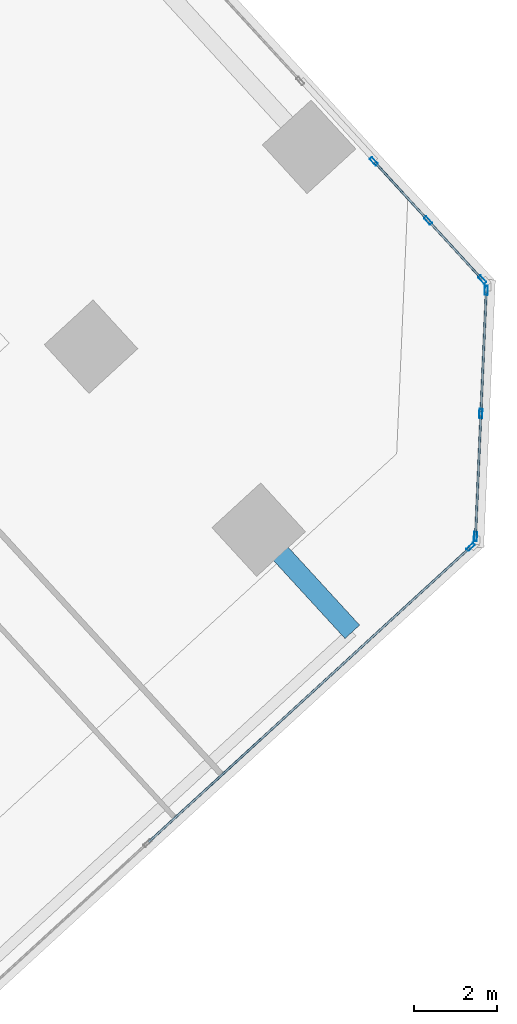
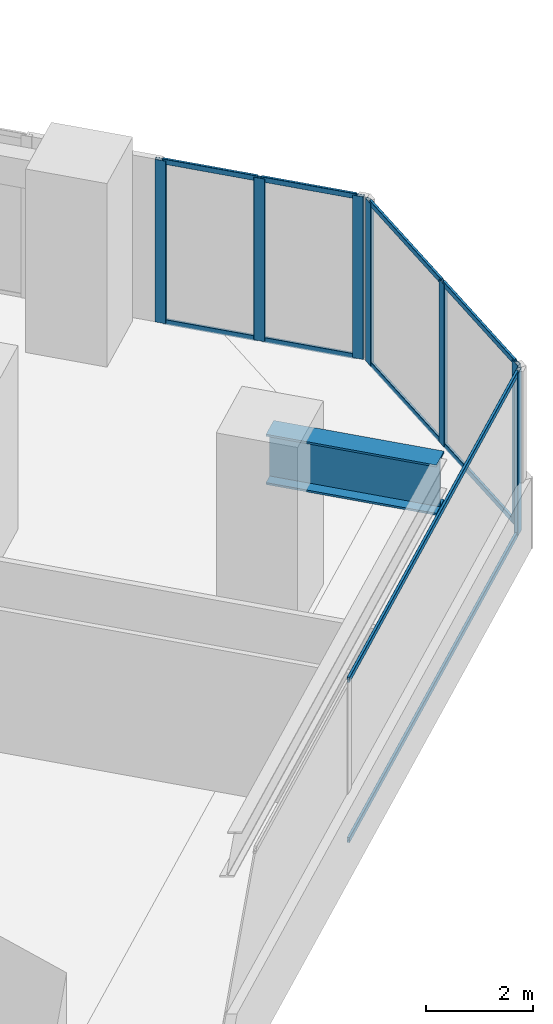
# One storey, part 6 of 17: 17 members, 1 beam, 3 elements without a shape of their own.
"""IFC4 building model written with IfcOpenShell, lengths in metres."""

from ifc_helpers import new_model, si_unit, direction, frame, origin, origin_2d, place, context, subcontext, project, spatial, hollow_rectangle, i_section, extrude, source, transform, mapped, material, material_profile, profile_set, type_object, element, aggregate, save


model = new_model("IFC4")

# Units and contexts
model_context = context("Model", 3, precision=1e-05, world=origin(), true_north=direction((0.0, 1.0)))
body_context = subcontext(model_context, "Body", "Model", "MODEL_VIEW")
ifc_project = project(units=[si_unit("LENGTHUNIT", "METRE"), si_unit("AREAUNIT", "SQUARE_METRE"), si_unit("VOLUMEUNIT", "CUBIC_METRE"), si_unit("PLANEANGLEUNIT", "RADIAN"), si_unit("MASSUNIT", "GRAM", prefix="KILO")], contexts=[model_context])

# Site, building, storey
site_placement = place(None, origin())
site = spatial("IfcSite", under=ifc_project, at=site_placement, CompositionType="ELEMENT")
building_placement = place(site_placement, origin())
building = spatial("IfcBuilding", under=site, at=building_placement, Name="Torre Montelarca", CompositionType="ELEMENT")
storey_placement = place(building_placement, frame((0.0, 0.0, 254.199951171875)))
storey = spatial("IfcBuildingStorey", under=building, at=storey_placement, Name="L57", CompositionType="ELEMENT", Elevation=254.199951171875)

# Beam
ifc_material_1 = material(Name="Steel ASTM A572 Grade 50", Category="steel")
ifc_material_profile_1 = material_profile(ifc_material_1, i_section(OverallWidth=0.47998046875, OverallDepth=1.14990234375, WebThickness=0.02197265625, FlangeThickness=0.044921875, at=origin_2d()), Name="PG1150X480X22X45", Category="steel")
ifc_profile_set_1 = profile_set([ifc_material_profile_1], Name="Steel ASTM A572 Grade 50")
beam_type = type_object("IfcBeamType", Name="BM-CG-PG1400-EXT", PredefinedType="USERDEFINED", material=ifc_profile_set_1)
shared_shape_1 = source(origin(), body_context, "Body", "SweptSolid", [
    extrude(i_section(OverallWidth=0.47998046875, OverallDepth=1.14990234375, WebThickness=0.02197265625, FlangeThickness=0.044921875, at=origin_2d()), origin(), (0.0, 0.0, 1.0), 3.349853515625),
])
beam_placement = place(storey_placement, frame((41.247802734375, 22.29052734375, 3.385009765625), z_axis=(0.675605810146, -0.737263039421, 0.0), x_axis=(0.737263039421, 0.675605810146, 0.0)))
element("IfcBeam", 1, at=beam_placement, inside=storey, type_object=beam_type, Name="L57 Sliding Tray Cantilever Girder East Y=40m (FLR)", ObjectType="CANTILEVER GIRDER", PredefinedType="USERDEFINED", context=body_context, shape_type="MappedRepresentation", body=[
    mapped(shared_shape_1, transform((0.0, 0.0, 0.0), scale=1.0)),
])

# Curtain wall, members
ifc_material_2 = material(Name="Insulated low-E laminated glass", Category="glass")
curtain_wall_type = type_object("IfcCurtainWallType", Name="CW-SYS-Z3", PredefinedType="USERDEFINED", material=ifc_material_2)
curtain_wall_1_placement = place(storey_placement, origin())
curtain_wall_1 = element("IfcCurtainWall", 2, at=curtain_wall_1_placement, inside=storey, type_object=curtain_wall_type, Name="L57 Curtain Wall Run CW-T3-L57-E07-B1", ObjectType="UNITISED GLAZING", PredefinedType="USERDEFINED")
ifc_material_3 = material(Name="Anodised aluminium AA 6063-T6", Category="aluminium")
ifc_material_profile_2 = material_profile(ifc_material_3, hollow_rectangle(XDim=0.054931640625, YDim=0.1201171875, WallThickness=0.00341796875, InnerFilletRadius=0.00341796875, OuterFilletRadius=0.007080078125, at=origin_2d()), Name="ALU55X120X3.5", Category="aluminium")
ifc_profile_set_2 = profile_set([ifc_material_profile_2], Name="Anodised aluminium AA 6063-T6")
member_type_1 = type_object("IfcMemberType", Name="CWT-ALU120", PredefinedType="USERDEFINED", material=ifc_profile_set_2)
shared_shape_2 = source(origin(), body_context, "Body", "SweptSolid", [
    extrude(hollow_rectangle(XDim=0.054931640625, YDim=0.1201171875, WallThickness=0.00341796875, InnerFilletRadius=0.00341796875, OuterFilletRadius=0.007080078125, at=origin_2d()), origin(), (0.0, 0.0, 1.0), 2.903564453125),
])
member_1_placement = place(storey_placement, frame((46.4912109375, 22.1611328125, 0.027587890625), z_axis=(0.043637906688, 0.999047412839, 0.0), x_axis=(-0.999047412839, 0.043637906688, 0.0)))
member_1 = element("IfcMember", 3, at=member_1_placement, type_object=member_type_1, Name="CW transom 1.1", ObjectType="TRANSOM", PredefinedType="USERDEFINED", context=body_context, shape_type="MappedRepresentation", body=[
    mapped(shared_shape_2, transform((0.0, 0.0, 0.0), scale=1.0)),
])
member_2_placement = place(storey_placement, frame((46.4912109375, 22.1611328125, 3.692626953125), z_axis=(0.043637906688, 0.999047412839, 0.0), x_axis=(-0.999047412839, 0.043637906688, 0.0)))
member_2 = element("IfcMember", 4, at=member_2_placement, type_object=member_type_1, Name="CW transom 1.2", ObjectType="TRANSOM", PredefinedType="USERDEFINED", context=body_context, shape_type="MappedRepresentation", body=[
    mapped(shared_shape_2, transform((0.0, 0.0, 0.0), scale=1.0)),
])
member_3_placement = place(storey_placement, frame((46.62109375, 25.136962890625, 0.027587890625), z_axis=(0.043637906688, 0.999047412839, 0.0), x_axis=(-0.999047412839, 0.043637906688, 0.0)))
member_3 = element("IfcMember", 5, at=member_3_placement, type_object=member_type_1, Name="CW transom 2.1", ObjectType="TRANSOM", PredefinedType="USERDEFINED", context=body_context, shape_type="MappedRepresentation", body=[
    mapped(shared_shape_2, transform((0.0, 0.0, 0.0), scale=1.0)),
])
member_4_placement = place(storey_placement, frame((46.62109375, 25.136962890625, 3.692626953125), z_axis=(0.043637906688, 0.999047412839, 0.0), x_axis=(-0.999047412839, 0.043637906688, 0.0)))
member_4 = element("IfcMember", 6, at=member_4_placement, type_object=member_type_1, Name="CW transom 2.2", ObjectType="TRANSOM", PredefinedType="USERDEFINED", context=body_context, shape_type="MappedRepresentation", body=[
    mapped(shared_shape_2, transform((0.0, 0.0, 0.0), scale=1.0)),
])

# Curtain wall, member
curtain_wall_2_placement = place(storey_placement, origin())
curtain_wall_2 = element("IfcCurtainWall", 7, at=curtain_wall_2_placement, inside=storey, type_object=curtain_wall_type, Name="L57 Curtain Wall Run CW-T3-L57-E06-B1", ObjectType="UNITISED GLAZING", PredefinedType="USERDEFINED")
ifc_material_profile_3 = material_profile(ifc_material_3, hollow_rectangle(XDim=0.074951171875, YDim=0.219970703125, WallThickness=0.0048828125, InnerFilletRadius=0.0048828125, OuterFilletRadius=0.010009765625, at=origin_2d()), Name="ALU75X220X5", Category="aluminium")
ifc_profile_set_3 = profile_set([ifc_material_profile_3], Name="Anodised aluminium AA 6063-T6")
member_type_2 = type_object("IfcMemberType", Name="CWM-ALU220", PredefinedType="MULLION", material=ifc_profile_set_3)
shared_shape_3 = source(origin(), body_context, "Body", "SweptSolid", [
    extrude(hollow_rectangle(XDim=0.074951171875, YDim=0.219970703125, WallThickness=0.0048828125, InnerFilletRadius=0.0048828125, OuterFilletRadius=0.010009765625, at=origin_2d()), origin(), (0.0, 0.0, 1.0), 3.719970703125),
])
member_5_placement = place(storey_placement, frame((46.372802734375, 21.873291015625, 0.0), z_axis=(0.0, 0.0, 1.0), x_axis=(-0.675587287841, 0.73728001228, 0.0)))
member_5 = element("IfcMember", 8, at=member_5_placement, type_object=member_type_2, Name="CW mullion 3", PredefinedType="MULLION", context=body_context, shape_type="MappedRepresentation", body=[
    mapped(shared_shape_3, transform((0.0, 0.0, 0.0), scale=1.0)),
])

# Member
member_6_placement = place(storey_placement, frame((46.489501953125, 22.123779296875, 0.0), z_axis=(0.0, 0.0, 1.0), x_axis=(-0.999048385364, 0.043615635968, 0.0)))
member_6 = element("IfcMember", 9, at=member_6_placement, type_object=member_type_2, Name="CW mullion 1", PredefinedType="MULLION", context=body_context, shape_type="MappedRepresentation", body=[
    mapped(shared_shape_3, transform((0.0, 0.0, 0.0), scale=1.0)),
])

member_7_placement = place(storey_placement, frame((46.619384765625, 25.099365234375, 0.0), z_axis=(0.0, 0.0, 1.0), x_axis=(-0.999048385364, 0.043615635968, 0.0)))
member_7 = element("IfcMember", 10, at=member_7_placement, type_object=member_type_2, Name="CW mullion 2", PredefinedType="MULLION", context=body_context, shape_type="MappedRepresentation", body=[
    mapped(shared_shape_3, transform((0.0, 0.0, 0.0), scale=1.0)),
])

member_8_placement = place(storey_placement, frame((46.749267578125, 28.0751953125, 0.0), z_axis=(0.0, 0.0, 1.0), x_axis=(-0.999048385364, 0.043615635968, 0.0)))
member_8 = element("IfcMember", 11, at=member_8_placement, type_object=member_type_2, Name="CW mullion 3", PredefinedType="MULLION", context=body_context, shape_type="MappedRepresentation", body=[
    mapped(shared_shape_3, transform((0.0, 0.0, 0.0), scale=1.0)),
])

aggregate(curtain_wall_1, [member_6, member_7, member_8, member_1, member_2, member_3, member_4])

# Curtain wall, members
curtain_wall_3_placement = place(storey_placement, origin())
curtain_wall_3 = element("IfcCurtainWall", 12, at=curtain_wall_3_placement, inside=storey, type_object=curtain_wall_type, Name="L57 Curtain Wall Run CW-T3-L57-E08-B1", ObjectType="UNITISED GLAZING", PredefinedType="USERDEFINED")
member_9_placement = place(storey_placement, frame((46.65478515625, 28.334716796875, 0.0), z_axis=(0.0, 0.0, 1.0), x_axis=(-0.73728639427, -0.675580323, 0.0)))
member_9 = element("IfcMember", 13, at=member_9_placement, type_object=member_type_2, Name="CW mullion 1", PredefinedType="MULLION", context=body_context, shape_type="MappedRepresentation", body=[
    mapped(shared_shape_3, transform((0.0, 0.0, 0.0), scale=1.0)),
])
member_10_placement = place(storey_placement, frame((45.344482421875, 29.764892578125, 0.0), z_axis=(0.0, 0.0, 1.0), x_axis=(-0.73728639427, -0.675580323, 0.0)))
member_10 = element("IfcMember", 14, at=member_10_placement, type_object=member_type_2, Name="CW mullion 2", PredefinedType="MULLION", context=body_context, shape_type="MappedRepresentation", body=[
    mapped(shared_shape_3, transform((0.0, 0.0, 0.0), scale=1.0)),
])
member_11_placement = place(storey_placement, frame((44.0341796875, 31.19482421875, 0.0), z_axis=(0.0, 0.0, 1.0), x_axis=(-0.73728639427, -0.675580323, 0.0)))
member_11 = element("IfcMember", 15, at=member_11_placement, type_object=member_type_2, Name="CW mullion 3", PredefinedType="MULLION", context=body_context, shape_type="MappedRepresentation", body=[
    mapped(shared_shape_3, transform((0.0, 0.0, 0.0), scale=1.0)),
])

# Member
shared_shape_4 = source(origin(), body_context, "Body", "SweptSolid", [
    extrude(hollow_rectangle(XDim=0.054931640625, YDim=0.1201171875, WallThickness=0.00341796875, InnerFilletRadius=0.00341796875, OuterFilletRadius=0.007080078125, at=origin_2d()), origin(), (0.0, 0.0, 1.0), 10.521484375),
])
member_12_placement = place(storey_placement, frame((38.587890625, 14.73974609375, 0.027587890625), z_axis=(0.737283193408, 0.675583816205, 0.0), x_axis=(-0.675583816205, 0.737283193408, 0.0)))
member_12 = element("IfcMember", 16, at=member_12_placement, type_object=member_type_1, Name="CW transom 2.1", ObjectType="TRANSOM", PredefinedType="USERDEFINED", context=body_context, shape_type="MappedRepresentation", body=[
    mapped(shared_shape_4, transform((0.0, 0.0, 0.0), scale=1.0)),
])

member_13_placement = place(storey_placement, frame((38.587890625, 14.73974609375, 3.692626953125), z_axis=(0.737283193408, 0.675583816205, 0.0), x_axis=(-0.675583816205, 0.737283193408, 0.0)))
member_13 = element("IfcMember", 17, at=member_13_placement, type_object=member_type_1, Name="CW transom 2.2", ObjectType="TRANSOM", PredefinedType="USERDEFINED", context=body_context, shape_type="MappedRepresentation", body=[
    mapped(shared_shape_4, transform((0.0, 0.0, 0.0), scale=1.0)),
])

aggregate(curtain_wall_2, [member_5, member_12, member_13])

shared_shape_5 = source(origin(), body_context, "Body", "SweptSolid", [
    extrude(hollow_rectangle(XDim=0.054931640625, YDim=0.1201171875, WallThickness=0.00341796875, InnerFilletRadius=0.00341796875, OuterFilletRadius=0.007080078125, at=origin_2d()), origin(), (0.0, 0.0, 1.0), 1.86474609375),
])
member_14_placement = place(storey_placement, frame((46.629638671875, 28.3623046875, 0.027587890625), z_axis=(-0.675600111618, 0.737268261341, 0.0), x_axis=(-0.737268261341, -0.675600111618, 0.0)))
member_14 = element("IfcMember", 18, at=member_14_placement, type_object=member_type_1, Name="CW transom 1.1", ObjectType="TRANSOM", PredefinedType="USERDEFINED", context=body_context, shape_type="MappedRepresentation", body=[
    mapped(shared_shape_5, transform((0.0, 0.0, 0.0), scale=1.0)),
])

member_15_placement = place(storey_placement, frame((46.629638671875, 28.3623046875, 3.692626953125), z_axis=(-0.675600111618, 0.737268261341, 0.0), x_axis=(-0.737268261341, -0.675600111618, 0.0)))
member_15 = element("IfcMember", 19, at=member_15_placement, type_object=member_type_1, Name="CW transom 1.2", ObjectType="TRANSOM", PredefinedType="USERDEFINED", context=body_context, shape_type="MappedRepresentation", body=[
    mapped(shared_shape_5, transform((0.0, 0.0, 0.0), scale=1.0)),
])

shared_shape_6 = source(origin(), body_context, "Body", "SweptSolid", [
    extrude(hollow_rectangle(XDim=0.054931640625, YDim=0.1201171875, WallThickness=0.00341796875, InnerFilletRadius=0.00341796875, OuterFilletRadius=0.007080078125, at=origin_2d()), origin(), (0.0, 0.0, 1.0), 1.864501953125),
])
member_16_placement = place(storey_placement, frame((45.319091796875, 29.79248046875, 0.027587890625), z_axis=(-0.675528933138, 0.737333479841, 0.0), x_axis=(-0.737333479841, -0.675528933138, 0.0)))
member_16 = element("IfcMember", 20, at=member_16_placement, type_object=member_type_1, Name="CW transom 2.1", ObjectType="TRANSOM", PredefinedType="USERDEFINED", context=body_context, shape_type="MappedRepresentation", body=[
    mapped(shared_shape_6, transform((0.0, 0.0, 0.0), scale=1.0)),
])

member_17_placement = place(storey_placement, frame((45.319091796875, 29.79248046875, 3.692626953125), z_axis=(-0.675528933138, 0.737333479841, 0.0), x_axis=(-0.737333479841, -0.675528933138, 0.0)))
member_17 = element("IfcMember", 21, at=member_17_placement, type_object=member_type_1, Name="CW transom 2.2", ObjectType="TRANSOM", PredefinedType="USERDEFINED", context=body_context, shape_type="MappedRepresentation", body=[
    mapped(shared_shape_6, transform((0.0, 0.0, 0.0), scale=1.0)),
])

aggregate(curtain_wall_3, [member_9, member_10, member_11, member_14, member_15, member_16, member_17])

save(model, "model.ifc")
